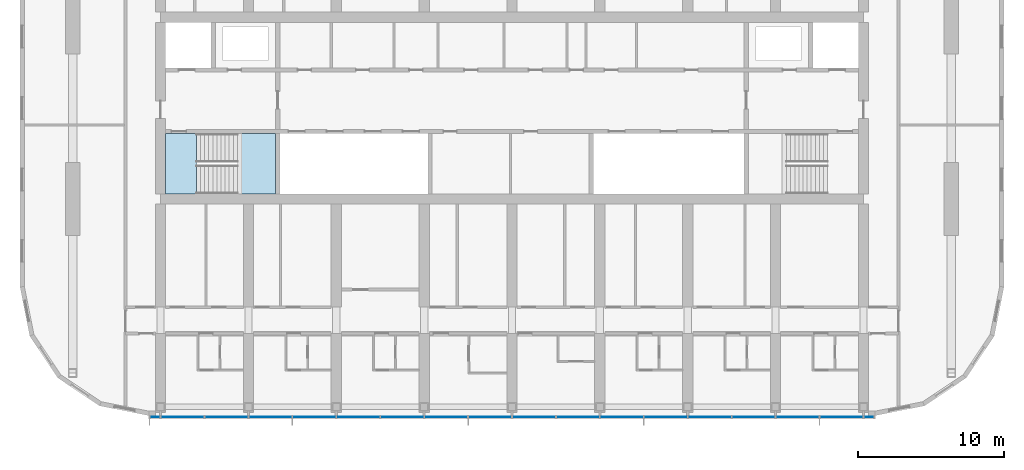
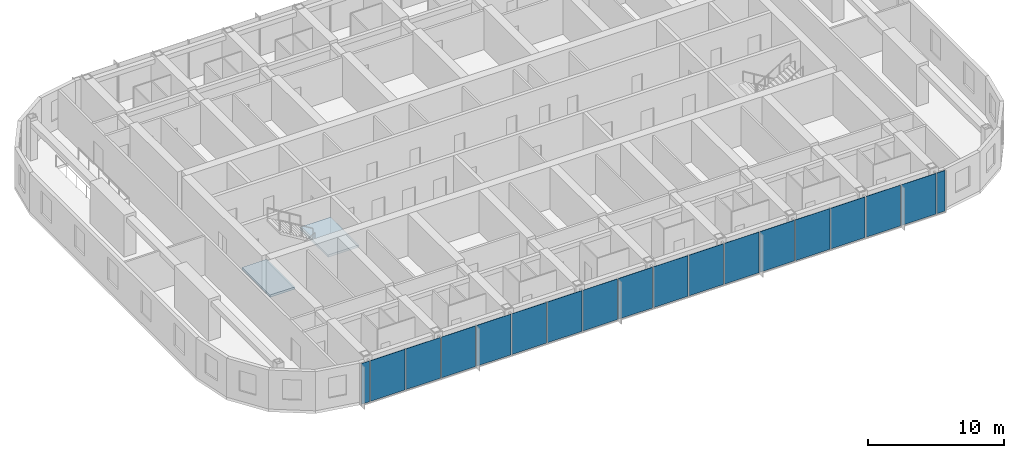
# One storey, part 7 of 23: 18 plates, 2 slabs, 2 elements without a shape of their own.
"""IFC4 building model written with IfcOpenShell, lengths in metres."""

import ifcopenshell
import ifcopenshell.guid

model = None  # the IFC model being written
_history = None  # IfcOwnerHistory: only IFC2X3 demands one
_inside = {}  # id of a spatial element -> (the spatial element, [elements in it])
_under = {}  # id of a project, library or spatial element -> (it, [spatial elements below it])
_declared = {}  # id of a project -> (the project, [libraries it declares])
_typed = {}  # id of a type object -> (the type object, [elements of that type])
_made_of = {}  # id of a material, layer set ... -> (it, [elements and type objects made of it])


def new_model(schema):
    """Start an empty IFC model of exactly this schema.

    Asked for "IFC4X3", IfcOpenShell would pick the latest addendum, in which some entities
    have other attributes; the version numbers below select the first issue.
    IFC2X3 requires an IfcOwnerHistory on every rooted entity: one is made here for all.
    """
    global model, _history
    if schema == "IFC4X3":
        model = ifcopenshell.file(schema_version=(4, 3, 0, 0))
    else:
        model = ifcopenshell.file(schema=schema)
    _inside.clear()
    _under.clear()
    _declared.clear()
    _typed.clear()
    _made_of.clear()
    _history = None
    if model.schema == "IFC2X3":
        org = make("IfcOrganization", Name="unknown")
        user = make(
            "IfcPersonAndOrganization",
            ThePerson=make("IfcPerson", FamilyName="unknown"),
            TheOrganization=org,
        )
        app = make(
            "IfcApplication",
            ApplicationDeveloper=org,
            Version="unknown",
            ApplicationFullName="unknown",
            ApplicationIdentifier="unknown",
        )
        _history = make(
            "IfcOwnerHistory",
            OwningUser=user,
            OwningApplication=app,
            ChangeAction="ADDED",
            CreationDate=0,
        )
    return model


def make(cls, **values):
    """One entity of the class cls with the attributes given. An attribute that is None is left unset."""
    return model.create_entity(
        cls, **{name: value for name, value in values.items() if value is not None}
    )


def rooted(cls, **values):
    """An entity with a GlobalId (a new one), such as an element, a storey or a relation."""
    return make(cls, GlobalId=ifcopenshell.guid.new(), OwnerHistory=_history, **values)


def si_unit(unit_type, name, prefix=None):
    """IfcSIUnit, for example si_unit("LENGTHUNIT", "METRE", prefix="MILLI")."""
    return make("IfcSIUnit", UnitType=unit_type, Prefix=prefix, Name=name)


def assignment(units):
    """IfcUnitAssignment: the units of a project."""
    return None if units is None else make("IfcUnitAssignment", Units=units)


def point(xyz):
    """IfcCartesianPoint."""
    return None if xyz is None else make("IfcCartesianPoint", Coordinates=xyz)


def direction(xyz):
    """IfcDirection."""
    return None if xyz is None else make("IfcDirection", DirectionRatios=xyz)


def frame(location, z_axis=None, x_axis=None):
    """IfcAxis2Placement3D, a coordinate frame: its origin and axes. An axis left out is left unset."""
    return make(
        "IfcAxis2Placement3D",
        Location=point(location),
        Axis=direction(z_axis),
        RefDirection=direction(x_axis),
    )


def frame_2d(location, x_axis=None):
    """IfcAxis2Placement2D, a coordinate frame in the plane: its origin and x axis."""
    return make(
        "IfcAxis2Placement2D", Location=point(location), RefDirection=direction(x_axis)
    )


def origin():
    """The frame at (0, 0, 0) with its axes left unset."""
    return frame((0.0, 0.0, 0.0))


def origin_2d():
    """The frame at (0, 0) in the plane with its x axis left unset."""
    return frame_2d((0.0, 0.0))


def place(relative_to, where):
    """IfcLocalPlacement: puts the frame where relative to a parent placement (None: the world)."""
    return make(
        "IfcLocalPlacement", PlacementRelTo=relative_to, RelativePlacement=where
    )


def context(
    kind, dimensions, precision=None, world=None, true_north=None, identifier=None
):
    """IfcGeometricRepresentationContext, for example the 3D "Model" context."""
    return make(
        "IfcGeometricRepresentationContext",
        ContextIdentifier=identifier,
        ContextType=kind,
        CoordinateSpaceDimension=dimensions,
        Precision=precision,
        WorldCoordinateSystem=world,
        TrueNorth=true_north,
    )


def subcontext(parent, identifier, kind, view, scale=None):
    """IfcGeometricRepresentationSubContext, for example "Body" below "Model"."""
    return make(
        "IfcGeometricRepresentationSubContext",
        ContextIdentifier=identifier,
        ContextType=kind,
        ParentContext=parent,
        TargetScale=scale,
        TargetView=view,
    )


def project(units=None, contexts=None):
    """IfcProject with its units and contexts."""
    return rooted(
        "IfcProject",
        Name="project",
        RepresentationContexts=contexts,
        UnitsInContext=assignment(units),
    )


def spatial(cls, under=None, at=None, **own):
    """A site, building, storey or space (cls), placed at a placement, below another one or the project."""
    s = rooted(cls, ObjectPlacement=at, **own)
    if under is not None:
        _under.setdefault(under.id(), (under, []))[1].append(s)
    return s


def polyline(points):
    """IfcPolyline through the points."""
    return make("IfcPolyline", Points=[point(p) for p in points])


def profile(cls, at=None, kind="AREA", **sizes):
    """A parametric profile (cls). Its sizes go by their IFC names, for example OverallWidth=200.0."""
    return make(cls, ProfileType=kind, Position=at, **sizes)


def rectangle(**sizes):
    """IfcRectangleProfileDef."""
    return profile("IfcRectangleProfileDef", **sizes)


def outline(outer, holes=None, kind="AREA"):
    """IfcArbitraryClosedProfileDef: a profile drawn as a closed curve; with holes, ...WithVoids."""
    if holes is None:
        return make("IfcArbitraryClosedProfileDef", ProfileType=kind, OuterCurve=outer)
    return make(
        "IfcArbitraryProfileDefWithVoids",
        ProfileType=kind,
        OuterCurve=outer,
        InnerCurves=holes,
    )


def extrude(swept, where, along, depth):
    """IfcExtrudedAreaSolid: the profile swept, set in the frame where, extruded along a direction by depth."""
    return make(
        "IfcExtrudedAreaSolid",
        SweptArea=swept,
        Position=where,
        ExtrudedDirection=direction(along),
        Depth=depth,
    )


def shape(context_of_items, identifier, shape_type, items):
    """IfcShapeRepresentation: the items that make up one representation, for example the "Body"."""
    return make(
        "IfcShapeRepresentation",
        ContextOfItems=context_of_items,
        RepresentationIdentifier=identifier,
        RepresentationType=shape_type,
        Items=items,
    )


def material(Name=None, Category=None):
    """IfcMaterial."""
    return make("IfcMaterial", Name=Name, Category=Category)


def layer(
    of_material, thickness, ventilated=None, Name=None, Category=None, Priority=None
):
    """IfcMaterialLayer: one layer of a wall or slab, of a material (None: an air gap)."""
    return make(
        "IfcMaterialLayer",
        Material=of_material,
        LayerThickness=thickness,
        IsVentilated=ventilated,
        Name=Name,
        Category=Category,
        Priority=Priority,
    )


def layer_set(layers, Name=None):
    """IfcMaterialLayerSet."""
    return make("IfcMaterialLayerSet", MaterialLayers=layers, LayerSetName=Name)


def made_of(thing, what):
    """Note that an element or type object is made of a material, layer set ...; save() writes the relation."""
    if what is not None:
        _made_of.setdefault(what.id(), (what, []))[1].append(thing)
    return thing


def type_object(cls, material=None, **own):
    """A type object (cls), such as IfcWallType, which elements share."""
    return made_of(rooted(cls, **own), material)


def element(
    cls,
    number,
    at=None,
    inside=None,
    cuts=None,
    type_object=None,
    material=None,
    context=None,
    identifier="Body",
    shape_type=None,
    held_by="IfcProductDefinitionShape",
    body=None,
    shapes=None,
    **own,
):
    """One element of the class cls, such as IfcWall. Its Tag is "e" and its number.

    at: its placement. inside: the storey or other place that contains it. cuts: it is an
    opening in that element (IfcRelVoidsElement). A single representation is given by context,
    identifier, shape_type and body (its items); several are given by shapes. held_by: the class
    of the entity that holds the representations. save() writes the other relations.
    """
    e = rooted(cls, Tag="e%d" % number, ObjectPlacement=at, **own)
    if body is not None:
        shapes = [shape(context, identifier, shape_type, body)]
    if shapes is not None:
        e.Representation = make(held_by, Representations=shapes)
    if inside is not None:
        _inside.setdefault(inside.id(), (inside, []))[1].append(e)
    if cuts is not None:
        rooted(
            "IfcRelVoidsElement", RelatingBuildingElement=cuts, RelatedOpeningElement=e
        )
    if type_object is not None:
        _typed.setdefault(type_object.id(), (type_object, []))[1].append(e)
    return made_of(e, material)


def aggregate(whole, parts):
    """IfcRelAggregates: a whole, such as a stair, and the parts it consists of."""
    return rooted("IfcRelAggregates", RelatingObject=whole, RelatedObjects=parts)


def save(model, path):
    """Write the relations noted so far, then the file.

    IfcRelAggregates (storeys below a building ...), IfcRelContainedInSpatialStructure (elements
    in a storey), IfcRelDefinesByType, IfcRelAssociatesMaterial and IfcRelDeclares: one each for
    every whole, place, type object, material and project.
    """
    for whole, parts in _under.values():
        aggregate(whole, parts)
    for where, things in _inside.values():
        rooted(
            "IfcRelContainedInSpatialStructure",
            RelatedElements=things,
            RelatingStructure=where,
        )
    for kind, things in _typed.values():
        rooted("IfcRelDefinesByType", RelatedObjects=things, RelatingType=kind)
    for what, things in _made_of.values():
        rooted("IfcRelAssociatesMaterial", RelatedObjects=things, RelatingMaterial=what)
    for by, libraries in _declared.values():
        rooted("IfcRelDeclares", RelatingContext=by, RelatedDefinitions=libraries)
    model.write(path)


model = new_model("IFC4")

# Units and contexts
model_context = context("Model", 3, precision=1e-05, world=origin(), true_north=direction((0.0, 1.0)))
body_context = subcontext(model_context, "Body", "Model", "MODEL_VIEW")
ifc_project = project(units=[si_unit("LENGTHUNIT", "METRE"), si_unit("AREAUNIT", "SQUARE_METRE"), si_unit("VOLUMEUNIT", "CUBIC_METRE"), si_unit("PLANEANGLEUNIT", "RADIAN"), si_unit("MASSUNIT", "GRAM", prefix="KILO")], contexts=[model_context])

# Site, building, storey
site_placement = place(None, origin())
site = spatial("IfcSite", under=ifc_project, at=site_placement, CompositionType="ELEMENT")
building_placement = place(site_placement, origin())
building = spatial("IfcBuilding", under=site, at=building_placement, Name="Orbita Commons", CompositionType="ELEMENT")
storey_placement = place(building_placement, frame((0.0, 0.0, 250.300048828125)))
storey = spatial("IfcBuildingStorey", under=building, at=storey_placement, Name="L62", CompositionType="ELEMENT", Elevation=250.300048828125)

# Curtain wall, plates
ifc_material_1 = material(Name="Anodised aluminium frame, pale silver", Category="aluminium")
curtain_wall_type = type_object("IfcCurtainWallType", Name="Unitised curtain wall CW-U, full-height vision", PredefinedType="NOTDEFINED", material=ifc_material_1)
curtain_wall_placement = place(storey_placement, origin())
curtain_wall = element("IfcCurtainWall", 1, at=curtain_wall_placement, inside=storey, type_object=curtain_wall_type, Name="Curtain wall south L62", PredefinedType="NOTDEFINED")
ifc_material_2 = material(Name="Clear double glazing", Category="glass")
ifc_layer_1 = layer(ifc_material_2, 0.031982421875)
ifc_layer_set_1 = layer_set([ifc_layer_1], Name="Clear double glazing")
plate_type = type_object("IfcPlateType", Name="Full-height vision panel, clear glazing 32", PredefinedType="CURTAIN_PANEL", material=ifc_layer_set_1)
plate_1_placement = place(storey_placement, frame((17.6201171875, 10.889892578125, -0.14990234375), z_axis=(0.0, 0.0, 1.0), x_axis=(1.0, 0.0, 0.0)))
plate_1 = element("IfcPlate", 2, at=plate_1_placement, type_object=plate_type, Name="Panel 1.1 CW-L62-S", PredefinedType="CURTAIN_PANEL", context=body_context, shape_type="SweptSolid", body=[
    extrude(rectangle(XDim=0.679931640625, YDim=0.031982421875, at=origin_2d()), origin(), (0.0, 0.0, 1.0), 3.64990234375),
])
plate_2_placement = place(storey_placement, frame((19.5, 10.889892578125, -0.14990234375), z_axis=(0.0, 0.0, 1.0), x_axis=(1.0, 0.0, 0.0)))
plate_2 = element("IfcPlate", 3, at=plate_2_placement, type_object=plate_type, Name="Panel 2.1 CW-L62-S", PredefinedType="CURTAIN_PANEL", context=body_context, shape_type="SweptSolid", body=[
    extrude(rectangle(XDim=2.919921875, YDim=0.031982421875, at=origin_2d()), origin(), (0.0, 0.0, 1.0), 3.64990234375),
])
plate_3_placement = place(storey_placement, frame((22.5, 10.889892578125, -0.14990234375), z_axis=(0.0, 0.0, 1.0), x_axis=(1.0, 0.0, 0.0)))
plate_3 = element("IfcPlate", 4, at=plate_3_placement, type_object=plate_type, Name="Panel 3.1 CW-L62-S", PredefinedType="CURTAIN_PANEL", context=body_context, shape_type="SweptSolid", body=[
    extrude(rectangle(XDim=2.919921875, YDim=0.031982421875, at=origin_2d()), origin(), (0.0, 0.0, 1.0), 3.64990234375),
])
plate_4_placement = place(storey_placement, frame((25.5, 10.889892578125, -0.14990234375), z_axis=(0.0, 0.0, 1.0), x_axis=(1.0, 0.0, 0.0)))
plate_4 = element("IfcPlate", 5, at=plate_4_placement, type_object=plate_type, Name="Panel 4.1 CW-L62-S", PredefinedType="CURTAIN_PANEL", context=body_context, shape_type="SweptSolid", body=[
    extrude(rectangle(XDim=2.919921875, YDim=0.031982421875, at=origin_2d()), origin(), (0.0, 0.0, 1.0), 3.64990234375),
])
plate_5_placement = place(storey_placement, frame((28.5, 10.889892578125, -0.14990234375), z_axis=(0.0, 0.0, 1.0), x_axis=(1.0, 0.0, 0.0)))
plate_5 = element("IfcPlate", 6, at=plate_5_placement, type_object=plate_type, Name="Panel 5.1 CW-L62-S", PredefinedType="CURTAIN_PANEL", context=body_context, shape_type="SweptSolid", body=[
    extrude(rectangle(XDim=2.919921875, YDim=0.031982421875, at=origin_2d()), origin(), (0.0, 0.0, 1.0), 3.64990234375),
])
plate_6_placement = place(storey_placement, frame((31.5, 10.889892578125, -0.14990234375), z_axis=(0.0, 0.0, 1.0), x_axis=(1.0, 0.0, 0.0)))
plate_6 = element("IfcPlate", 7, at=plate_6_placement, type_object=plate_type, Name="Panel 6.1 CW-L62-S", PredefinedType="CURTAIN_PANEL", context=body_context, shape_type="SweptSolid", body=[
    extrude(rectangle(XDim=2.919921875, YDim=0.031982421875, at=origin_2d()), origin(), (0.0, 0.0, 1.0), 3.64990234375),
])
plate_7_placement = place(storey_placement, frame((34.5, 10.889892578125, -0.14990234375), z_axis=(0.0, 0.0, 1.0), x_axis=(1.0, 0.0, 0.0)))
plate_7 = element("IfcPlate", 8, at=plate_7_placement, type_object=plate_type, Name="Panel 7.1 CW-L62-S", PredefinedType="CURTAIN_PANEL", context=body_context, shape_type="SweptSolid", body=[
    extrude(rectangle(XDim=2.919921875, YDim=0.031982421875, at=origin_2d()), origin(), (0.0, 0.0, 1.0), 3.64990234375),
])
plate_8_placement = place(storey_placement, frame((37.5, 10.889892578125, -0.14990234375), z_axis=(0.0, 0.0, 1.0), x_axis=(1.0, 0.0, 0.0)))
plate_8 = element("IfcPlate", 9, at=plate_8_placement, type_object=plate_type, Name="Panel 8.1 CW-L62-S", PredefinedType="CURTAIN_PANEL", context=body_context, shape_type="SweptSolid", body=[
    extrude(rectangle(XDim=2.919921875, YDim=0.031982421875, at=origin_2d()), origin(), (0.0, 0.0, 1.0), 3.64990234375),
])
plate_9_placement = place(storey_placement, frame((40.5, 10.889892578125, -0.14990234375), z_axis=(0.0, 0.0, 1.0), x_axis=(1.0, 0.0, 0.0)))
plate_9 = element("IfcPlate", 10, at=plate_9_placement, type_object=plate_type, Name="Panel 9.1 CW-L62-S", PredefinedType="CURTAIN_PANEL", context=body_context, shape_type="SweptSolid", body=[
    extrude(rectangle(XDim=2.919921875, YDim=0.031982421875, at=origin_2d()), origin(), (0.0, 0.0, 1.0), 3.64990234375),
])
plate_10_placement = place(storey_placement, frame((43.5, 10.889892578125, -0.14990234375), z_axis=(0.0, 0.0, 1.0), x_axis=(1.0, 0.0, 0.0)))
plate_10 = element("IfcPlate", 11, at=plate_10_placement, type_object=plate_type, Name="Panel 10.1 CW-L62-S", PredefinedType="CURTAIN_PANEL", context=body_context, shape_type="SweptSolid", body=[
    extrude(rectangle(XDim=2.919921875, YDim=0.031982421875, at=origin_2d()), origin(), (0.0, 0.0, 1.0), 3.64990234375),
])
plate_11_placement = place(storey_placement, frame((46.5, 10.889892578125, -0.14990234375), z_axis=(0.0, 0.0, 1.0), x_axis=(1.0, 0.0, 0.0)))
plate_11 = element("IfcPlate", 12, at=plate_11_placement, type_object=plate_type, Name="Panel 11.1 CW-L62-S", PredefinedType="CURTAIN_PANEL", context=body_context, shape_type="SweptSolid", body=[
    extrude(rectangle(XDim=2.919921875, YDim=0.031982421875, at=origin_2d()), origin(), (0.0, 0.0, 1.0), 3.64990234375),
])
plate_12_placement = place(storey_placement, frame((49.5, 10.889892578125, -0.14990234375), z_axis=(0.0, 0.0, 1.0), x_axis=(1.0, 0.0, 0.0)))
plate_12 = element("IfcPlate", 13, at=plate_12_placement, type_object=plate_type, Name="Panel 12.1 CW-L62-S", PredefinedType="CURTAIN_PANEL", context=body_context, shape_type="SweptSolid", body=[
    extrude(rectangle(XDim=2.919921875, YDim=0.031982421875, at=origin_2d()), origin(), (0.0, 0.0, 1.0), 3.64990234375),
])
plate_13_placement = place(storey_placement, frame((52.5, 10.889892578125, -0.14990234375), z_axis=(0.0, 0.0, 1.0), x_axis=(1.0, 0.0, 0.0)))
plate_13 = element("IfcPlate", 14, at=plate_13_placement, type_object=plate_type, Name="Panel 13.1 CW-L62-S", PredefinedType="CURTAIN_PANEL", context=body_context, shape_type="SweptSolid", body=[
    extrude(rectangle(XDim=2.919921875, YDim=0.031982421875, at=origin_2d()), origin(), (0.0, 0.0, 1.0), 3.64990234375),
])
plate_14_placement = place(storey_placement, frame((55.5, 10.889892578125, -0.14990234375), z_axis=(0.0, 0.0, 1.0), x_axis=(1.0, 0.0, 0.0)))
plate_14 = element("IfcPlate", 15, at=plate_14_placement, type_object=plate_type, Name="Panel 14.1 CW-L62-S", PredefinedType="CURTAIN_PANEL", context=body_context, shape_type="SweptSolid", body=[
    extrude(rectangle(XDim=2.919921875, YDim=0.031982421875, at=origin_2d()), origin(), (0.0, 0.0, 1.0), 3.64990234375),
])
plate_15_placement = place(storey_placement, frame((58.5, 10.889892578125, -0.14990234375), z_axis=(0.0, 0.0, 1.0), x_axis=(1.0, 0.0, 0.0)))
plate_15 = element("IfcPlate", 16, at=plate_15_placement, type_object=plate_type, Name="Panel 15.1 CW-L62-S", PredefinedType="CURTAIN_PANEL", context=body_context, shape_type="SweptSolid", body=[
    extrude(rectangle(XDim=2.919921875, YDim=0.031982421875, at=origin_2d()), origin(), (0.0, 0.0, 1.0), 3.64990234375),
])
plate_16_placement = place(storey_placement, frame((61.5, 10.889892578125, -0.14990234375), z_axis=(0.0, 0.0, 1.0), x_axis=(1.0, 0.0, 0.0)))
plate_16 = element("IfcPlate", 17, at=plate_16_placement, type_object=plate_type, Name="Panel 16.1 CW-L62-S", PredefinedType="CURTAIN_PANEL", context=body_context, shape_type="SweptSolid", body=[
    extrude(rectangle(XDim=2.919921875, YDim=0.031982421875, at=origin_2d()), origin(), (0.0, 0.0, 1.0), 3.64990234375),
])
plate_17_placement = place(storey_placement, frame((64.5, 10.889892578125, -0.14990234375), z_axis=(0.0, 0.0, 1.0), x_axis=(1.0, 0.0, 0.0)))
plate_17 = element("IfcPlate", 18, at=plate_17_placement, type_object=plate_type, Name="Panel 17.1 CW-L62-S", PredefinedType="CURTAIN_PANEL", context=body_context, shape_type="SweptSolid", body=[
    extrude(rectangle(XDim=2.919921875, YDim=0.031982421875, at=origin_2d()), origin(), (0.0, 0.0, 1.0), 3.64990234375),
])
plate_18_placement = place(storey_placement, frame((66.3798828125, 10.889892578125, -0.14990234375), z_axis=(0.0, 0.0, 1.0), x_axis=(1.0, 0.0, 0.0)))
plate_18 = element("IfcPlate", 19, at=plate_18_placement, type_object=plate_type, Name="Panel 18.1 CW-L62-S", PredefinedType="CURTAIN_PANEL", context=body_context, shape_type="SweptSolid", body=[
    extrude(rectangle(XDim=0.679931640625, YDim=0.031982421875, at=origin_2d()), origin(), (0.0, 0.0, 1.0), 3.64990234375),
])
aggregate(curtain_wall, [plate_1, plate_2, plate_3, plate_4, plate_5, plate_6, plate_7, plate_8, plate_9, plate_10, plate_11, plate_12, plate_13, plate_14, plate_15, plate_16, plate_17, plate_18])

# Stair, slabs
ifc_material_3 = material(Name="Precast concrete C40/50", Category="concrete")
stair_type = type_object("IfcStairType", Name="Exit stair S1 2 flights 11 risers 170", PredefinedType="HALF_TURN_STAIR", material=ifc_material_3)
stair_placement = place(storey_placement, origin())
stair = element("IfcStair", 20, at=stair_placement, inside=storey, type_object=stair_type, Name="Exit stair S1 L62", PredefinedType="HALF_TURN_STAIR")
ifc_material_4 = material(Name="Concrete C40/50", Category="concrete")
ifc_layer_2 = layer(ifc_material_4, 0.199951171875)
ifc_layer_set_2 = layer_set([ifc_layer_2], Name="Concrete C40/50")
slab_type = type_object("IfcSlabType", Name="Stair landing 200", PredefinedType="LANDING", material=ifc_layer_set_2)
slab_1_placement = place(storey_placement, frame((0.0, 0.0, -0.199951171875)))
slab_1 = element("IfcSlab", 21, at=slab_1_placement, type_object=slab_type, Name="S1 landing 1", PredefinedType="LANDING", context=body_context, shape_type="SweptSolid", body=[
    extrude(outline(polyline([(18.35009765625, 26.14990234375), (20.449951171875, 26.14990234375), (20.449951171875, 30.25), (18.35009765625, 30.25), (18.35009765625, 26.14990234375)])), origin(), (0.0, 0.0, 1.0), 0.199951171875),
])
slab_2_placement = place(storey_placement, frame((0.0, 0.0, 1.675048828125)))
slab_2 = element("IfcSlab", 22, at=slab_2_placement, type_object=slab_type, Name="S1 landing 2", PredefinedType="LANDING", context=body_context, shape_type="SweptSolid", body=[
    extrude(outline(polyline([(23.25, 26.135009765625), (25.864990234375, 26.135009765625), (25.864990234375, 30.264892578125), (23.25, 30.264892578125), (23.25, 26.135009765625)])), origin(), (0.0, 0.0, 1.0), 0.199951171875),
])
aggregate(stair, [slab_1, slab_2])

save(model, "model.ifc")
